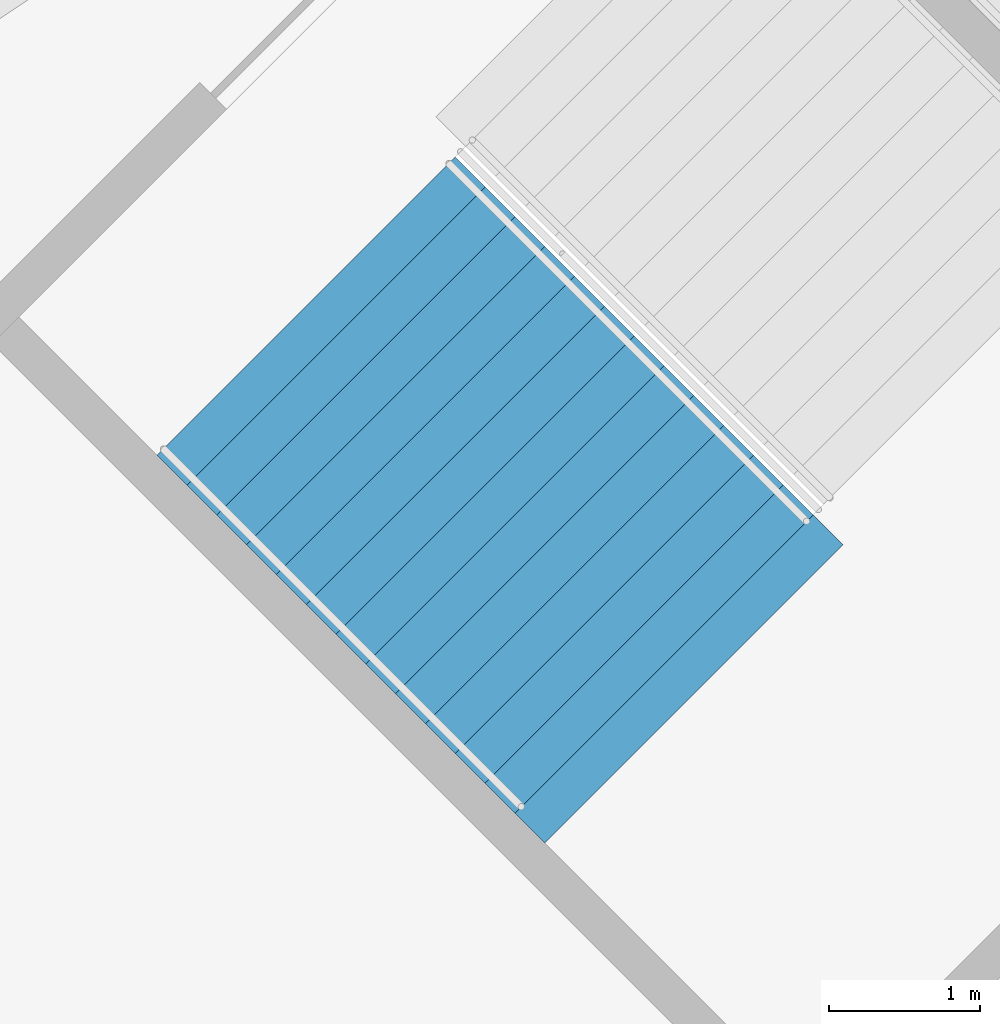
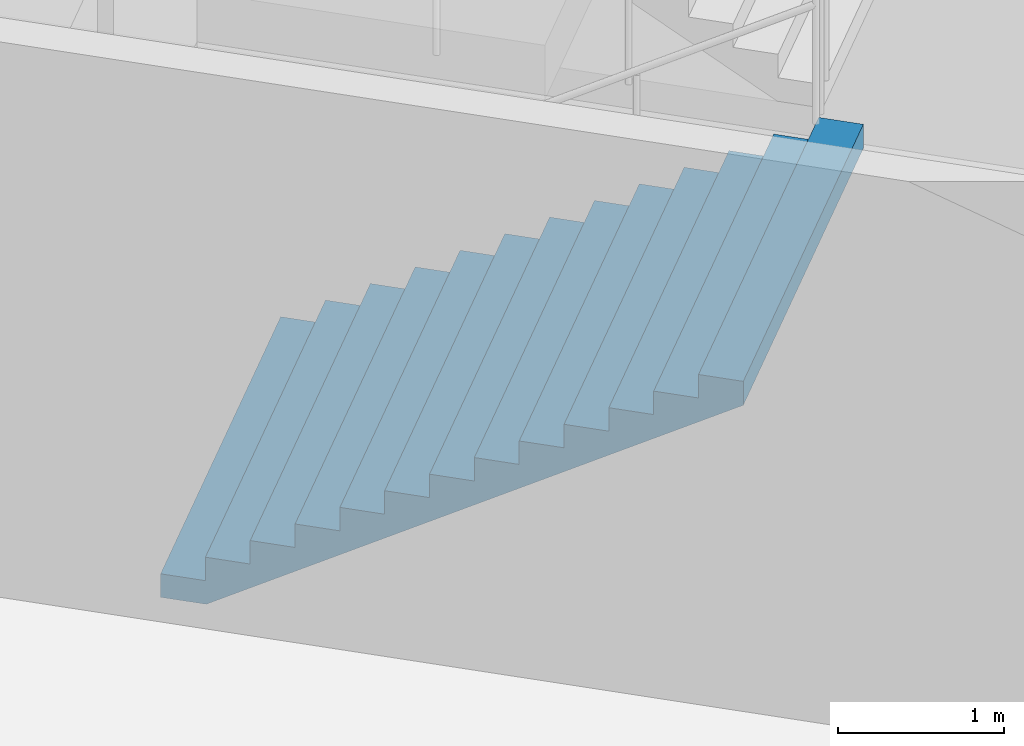
# One storey, part 169 of 249: 1 stair flight, 1 element without a shape of its own.
"""IFC4 building model written with IfcOpenShell, lengths in metres."""

from ifc_helpers import new_model, si_unit, direction, frame, origin, place, context, subcontext, project, spatial, faceted_brep, material, type_object, element, aggregate, save


model = new_model("IFC4")

# Units and contexts
model_context = context("Model", 3, precision=1e-05, world=origin(), true_north=direction((0.0, 1.0)))
body_context = subcontext(model_context, "Body", "Model", "MODEL_VIEW")
ifc_project = project(units=[si_unit("LENGTHUNIT", "METRE"), si_unit("AREAUNIT", "SQUARE_METRE"), si_unit("VOLUMEUNIT", "CUBIC_METRE"), si_unit("PLANEANGLEUNIT", "RADIAN"), si_unit("MASSUNIT", "GRAM", prefix="KILO")], contexts=[model_context])

# Site, building, storey
site_placement = place(None, origin())
site = spatial("IfcSite", under=ifc_project, at=site_placement, CompositionType="ELEMENT")
building_placement = place(site_placement, origin())
building = spatial("IfcBuilding", under=site, at=building_placement, Name="Ogive Plaza Stadium", CompositionType="ELEMENT")
storey_placement = place(building_placement, frame((0.0, 0.0, 13.5)))
storey = spatial("IfcBuildingStorey", under=building, at=storey_placement, Name="L03", CompositionType="ELEMENT", Elevation=13.5)

# Stair, stair flight
ifc_material_1 = material(Name="Concrete C40/50", Category="concrete")
stair_type = type_object("IfcStairType", Name="Exit stair", PredefinedType="STRAIGHT_RUN_STAIR", material=ifc_material_1)
stair_placement = place(storey_placement, origin())
stair = element("IfcStair", 1, at=stair_placement, inside=storey, type_object=stair_type, Name="Exit stair ST10A L03 to L04", PredefinedType="STRAIGHT_RUN_STAIR")
ifc_material_2 = material(Name="Concrete C40/50", Category="concrete")
stair_flight_type = type_object("IfcStairFlightType", Name="Exit stair flight", PredefinedType="STRAIGHT", material=ifc_material_2)
stair_flight_placement = place(storey_placement, frame((60.817138671875, -85.574951171875, 0.0), z_axis=(0.0, 0.0, 1.0), x_axis=(0.707106781187, -0.707106781187, 0.0)))
stair_flight = element("IfcStairFlight", 2, at=stair_flight_placement, type_object=stair_flight_type, Name="ST10A flight 1", NumberOfRisers=13, NumberOfTreads=12, PredefinedType="STRAIGHT", RiserHeight=0.173076923, TreadLength=0.28, context=body_context, shape_type="Brep", body=[
    faceted_brep([(0.28515625, -1.39990234375, 0.0), (3.639892578125, -1.39990234375, 2.07373046875), (3.639892578125, -1.39990234375, 2.25), (3.360107421875, -1.39990234375, 2.25), (3.360107421875, -1.39990234375, 2.076904296875), (3.080078125, -1.39990234375, 2.076904296875), (3.080078125, -1.39990234375, 1.90380859375), (2.800048828125, -1.39990234375, 1.90380859375), (2.800048828125, -1.39990234375, 1.730712890625), (2.52001953125, -1.39990234375, 1.730712890625), (2.52001953125, -1.39990234375, 1.5576171875), (2.239990234375, -1.39990234375, 1.5576171875), (2.239990234375, -1.39990234375, 1.384521484375), (1.9599609375, -1.39990234375, 1.384521484375), (1.9599609375, -1.39990234375, 1.21142578125), (1.679931640625, -1.39990234375, 1.21142578125), (1.679931640625, -1.39990234375, 1.03857421875), (1.39990234375, -1.39990234375, 1.03857421875), (1.39990234375, -1.39990234375, 0.865478515625), (1.1201171875, -1.39990234375, 0.865478515625), (1.1201171875, -1.39990234375, 0.6923828125), (0.840087890625, -1.39990234375, 0.6923828125), (0.840087890625, -1.39990234375, 0.519287109375), (0.56005859375, -1.39990234375, 0.519287109375), (0.56005859375, -1.39990234375, 0.34619140625), (0.280029296875, -1.39990234375, 0.34619140625), (0.280029296875, -1.39990234375, 0.173095703125), (0.0, -1.39990234375, 0.173095703125), (0.0, -1.39990234375, 0.0), (0.0, 1.39990234375, 0.0), (0.0, 1.39990234375, 0.173095703125), (0.280029296875, 1.39990234375, 0.173095703125), (0.280029296875, 1.39990234375, 0.34619140625), (0.56005859375, 1.39990234375, 0.34619140625), (0.56005859375, 1.39990234375, 0.519287109375), (0.840087890625, 1.39990234375, 0.519287109375), (0.840087890625, 1.39990234375, 0.6923828125), (1.1201171875, 1.39990234375, 0.6923828125), (1.1201171875, 1.39990234375, 0.865478515625), (1.39990234375, 1.39990234375, 0.865478515625), (1.39990234375, 1.39990234375, 1.03857421875), (1.679931640625, 1.39990234375, 1.03857421875), (1.679931640625, 1.39990234375, 1.21142578125), (1.9599609375, 1.39990234375, 1.21142578125), (1.9599609375, 1.39990234375, 1.384521484375), (2.239990234375, 1.39990234375, 1.384521484375), (2.239990234375, 1.39990234375, 1.5576171875), (2.52001953125, 1.39990234375, 1.5576171875), (2.52001953125, 1.39990234375, 1.730712890625), (2.800048828125, 1.39990234375, 1.730712890625), (2.800048828125, 1.39990234375, 1.90380859375), (3.080078125, 1.39990234375, 1.90380859375), (3.080078125, 1.39990234375, 2.076904296875), (3.360107421875, 1.39990234375, 2.076904296875), (3.360107421875, 1.39990234375, 2.25), (3.639892578125, 1.39990234375, 2.25), (3.639892578125, 1.39990234375, 2.07373046875), (0.28515625, 1.39990234375, 0.0), (0.28515625, -1.0888671875, 0.0), (3.639892578125, -1.0888671875, 2.07373046875), (0.28515625, -0.77783203125, 0.0), (3.639892578125, -0.77783203125, 2.07373046875), (0.28515625, -0.466796875, 0.0), (3.639892578125, -0.466796875, 2.07373046875), (0.28515625, -0.155517578125, 0.0), (3.639892578125, -0.155517578125, 2.07373046875), (0.28515625, 0.155517578125, 0.0), (3.639892578125, 0.155517578125, 2.07373046875), (0.28515625, 0.466796875, 0.0), (3.639892578125, 0.466796875, 2.07373046875), (0.28515625, 0.77783203125, 0.0), (3.639892578125, 0.77783203125, 2.07373046875), (0.28515625, 1.0888671875, 0.0), (3.639892578125, 1.0888671875, 2.07373046875), (3.639892578125, -1.0888671875, 2.25), (3.639892578125, -0.77783203125, 2.25), (3.639892578125, -0.466796875, 2.25), (3.639892578125, -0.155517578125, 2.25), (3.639892578125, 0.155517578125, 2.25), (3.639892578125, 0.466796875, 2.25), (3.639892578125, 0.77783203125, 2.25), (3.639892578125, 1.0888671875, 2.25), (3.360107421875, -1.0888671875, 2.25), (3.360107421875, -0.77783203125, 2.25), (3.360107421875, -0.466796875, 2.25), (3.360107421875, -0.155517578125, 2.25), (3.360107421875, 0.155517578125, 2.25), (3.360107421875, 0.466796875, 2.25), (3.360107421875, 0.77783203125, 2.25), (3.360107421875, 1.0888671875, 2.25), (3.360107421875, -1.0888671875, 2.076904296875), (3.360107421875, -0.77783203125, 2.076904296875), (3.360107421875, -0.466796875, 2.076904296875), (3.360107421875, -0.155517578125, 2.076904296875), (3.360107421875, 0.155517578125, 2.076904296875), (3.360107421875, 0.466796875, 2.076904296875), (3.360107421875, 0.77783203125, 2.076904296875), (3.360107421875, 1.0888671875, 2.076904296875), (3.080078125, -1.0888671875, 2.076904296875), (3.080078125, -0.77783203125, 2.076904296875), (3.080078125, -0.466796875, 2.076904296875), (3.080078125, -0.155517578125, 2.076904296875), (3.080078125, 0.155517578125, 2.076904296875), (3.080078125, 0.466796875, 2.076904296875), (3.080078125, 0.77783203125, 2.076904296875), (3.080078125, 1.0888671875, 2.076904296875), (3.080078125, -1.0888671875, 1.90380859375), (3.080078125, -0.77783203125, 1.90380859375), (3.080078125, -0.466796875, 1.90380859375), (3.080078125, -0.155517578125, 1.90380859375), (3.080078125, 0.155517578125, 1.90380859375), (3.080078125, 0.466796875, 1.90380859375), (3.080078125, 0.77783203125, 1.90380859375), (3.080078125, 1.0888671875, 1.90380859375), (2.800048828125, -1.0888671875, 1.90380859375), (2.800048828125, -0.77783203125, 1.90380859375), (2.800048828125, -0.466796875, 1.90380859375), (2.800048828125, -0.155517578125, 1.90380859375), (2.800048828125, 0.155517578125, 1.90380859375), (2.800048828125, 0.466796875, 1.90380859375), (2.800048828125, 0.77783203125, 1.90380859375), (2.800048828125, 1.0888671875, 1.90380859375), (2.800048828125, -1.0888671875, 1.730712890625), (2.800048828125, -0.77783203125, 1.730712890625), (2.800048828125, -0.466796875, 1.730712890625), (2.800048828125, -0.155517578125, 1.730712890625), (2.800048828125, 0.155517578125, 1.730712890625), (2.800048828125, 0.466796875, 1.730712890625), (2.800048828125, 0.77783203125, 1.730712890625), (2.800048828125, 1.0888671875, 1.730712890625), (2.52001953125, -1.0888671875, 1.730712890625), (2.52001953125, -0.77783203125, 1.730712890625), (2.52001953125, -0.466796875, 1.730712890625), (2.52001953125, -0.155517578125, 1.730712890625), (2.52001953125, 0.155517578125, 1.730712890625), (2.52001953125, 0.466796875, 1.730712890625), (2.52001953125, 0.77783203125, 1.730712890625), (2.52001953125, 1.0888671875, 1.730712890625), (2.52001953125, -1.0888671875, 1.5576171875), (2.52001953125, -0.77783203125, 1.5576171875), (2.52001953125, -0.466796875, 1.5576171875), (2.52001953125, -0.155517578125, 1.5576171875), (2.52001953125, 0.155517578125, 1.5576171875), (2.52001953125, 0.466796875, 1.5576171875), (2.52001953125, 0.77783203125, 1.5576171875), (2.52001953125, 1.0888671875, 1.5576171875), (2.239990234375, -1.0888671875, 1.5576171875), (2.239990234375, -0.77783203125, 1.5576171875), (2.239990234375, -0.466796875, 1.5576171875), (2.239990234375, -0.155517578125, 1.5576171875), (2.239990234375, 0.155517578125, 1.5576171875), (2.239990234375, 0.466796875, 1.5576171875), (2.239990234375, 0.77783203125, 1.5576171875), (2.239990234375, 1.0888671875, 1.5576171875), (2.239990234375, -1.0888671875, 1.384521484375), (2.239990234375, -0.77783203125, 1.384521484375), (2.239990234375, -0.466796875, 1.384521484375), (2.239990234375, -0.155517578125, 1.384521484375), (2.239990234375, 0.155517578125, 1.384521484375), (2.239990234375, 0.466796875, 1.384521484375), (2.239990234375, 0.77783203125, 1.384521484375), (2.239990234375, 1.0888671875, 1.384521484375), (1.9599609375, -1.0888671875, 1.384521484375), (1.9599609375, -0.77783203125, 1.384521484375), (1.9599609375, -0.466796875, 1.384521484375), (1.9599609375, -0.155517578125, 1.384521484375), (1.9599609375, 0.155517578125, 1.384521484375), (1.9599609375, 0.466796875, 1.384521484375), (1.9599609375, 0.77783203125, 1.384521484375), (1.9599609375, 1.0888671875, 1.384521484375), (1.9599609375, -1.0888671875, 1.21142578125), (1.9599609375, -0.77783203125, 1.21142578125), (1.9599609375, -0.466796875, 1.21142578125), (1.9599609375, -0.155517578125, 1.21142578125), (1.9599609375, 0.155517578125, 1.21142578125), (1.9599609375, 0.466796875, 1.21142578125), (1.9599609375, 0.77783203125, 1.21142578125), (1.9599609375, 1.0888671875, 1.21142578125), (1.679931640625, -1.0888671875, 1.21142578125), (1.679931640625, -0.77783203125, 1.21142578125), (1.679931640625, -0.466796875, 1.21142578125), (1.679931640625, -0.155517578125, 1.21142578125), (1.679931640625, 0.155517578125, 1.21142578125), (1.679931640625, 0.466796875, 1.21142578125), (1.679931640625, 0.77783203125, 1.21142578125), (1.679931640625, 1.0888671875, 1.21142578125), (1.679931640625, -1.0888671875, 1.03857421875), (1.679931640625, -0.77783203125, 1.03857421875), (1.679931640625, -0.466796875, 1.03857421875), (1.679931640625, -0.155517578125, 1.03857421875), (1.679931640625, 0.155517578125, 1.03857421875), (1.679931640625, 0.466796875, 1.03857421875), (1.679931640625, 0.77783203125, 1.03857421875), (1.679931640625, 1.0888671875, 1.03857421875), (1.39990234375, -1.0888671875, 1.03857421875), (1.39990234375, -0.77783203125, 1.03857421875), (1.39990234375, -0.466796875, 1.03857421875), (1.39990234375, -0.155517578125, 1.03857421875), (1.39990234375, 0.155517578125, 1.03857421875), (1.39990234375, 0.466796875, 1.03857421875), (1.39990234375, 0.77783203125, 1.03857421875), (1.39990234375, 1.0888671875, 1.03857421875), (1.39990234375, -1.0888671875, 0.865478515625), (1.39990234375, -0.77783203125, 0.865478515625), (1.39990234375, -0.466796875, 0.865478515625), (1.39990234375, -0.155517578125, 0.865478515625), (1.39990234375, 0.155517578125, 0.865478515625), (1.39990234375, 0.466796875, 0.865478515625), (1.39990234375, 0.77783203125, 0.865478515625), (1.39990234375, 1.0888671875, 0.865478515625), (1.1201171875, -1.0888671875, 0.865478515625), (1.1201171875, -0.77783203125, 0.865478515625), (1.1201171875, -0.466796875, 0.865478515625), (1.1201171875, -0.155517578125, 0.865478515625), (1.1201171875, 0.155517578125, 0.865478515625), (1.1201171875, 0.466796875, 0.865478515625), (1.1201171875, 0.77783203125, 0.865478515625), (1.1201171875, 1.0888671875, 0.865478515625), (1.1201171875, -1.0888671875, 0.6923828125), (1.1201171875, -0.77783203125, 0.6923828125), (1.1201171875, -0.466796875, 0.6923828125), (1.1201171875, -0.155517578125, 0.6923828125), (1.1201171875, 0.155517578125, 0.6923828125), (1.1201171875, 0.466796875, 0.6923828125), (1.1201171875, 0.77783203125, 0.6923828125), (1.1201171875, 1.0888671875, 0.6923828125), (0.840087890625, -1.0888671875, 0.6923828125), (0.840087890625, -0.77783203125, 0.6923828125), (0.840087890625, -0.466796875, 0.6923828125), (0.840087890625, -0.155517578125, 0.6923828125), (0.840087890625, 0.155517578125, 0.6923828125), (0.840087890625, 0.466796875, 0.6923828125), (0.840087890625, 0.77783203125, 0.6923828125), (0.840087890625, 1.0888671875, 0.6923828125), (0.840087890625, -1.0888671875, 0.519287109375), (0.840087890625, -0.77783203125, 0.519287109375), (0.840087890625, -0.466796875, 0.519287109375), (0.840087890625, -0.155517578125, 0.519287109375), (0.840087890625, 0.155517578125, 0.519287109375), (0.840087890625, 0.466796875, 0.519287109375), (0.840087890625, 0.77783203125, 0.519287109375), (0.840087890625, 1.0888671875, 0.519287109375), (0.56005859375, -1.0888671875, 0.519287109375), (0.56005859375, -0.77783203125, 0.519287109375), (0.56005859375, -0.466796875, 0.519287109375), (0.56005859375, -0.155517578125, 0.519287109375), (0.56005859375, 0.155517578125, 0.519287109375), (0.56005859375, 0.466796875, 0.519287109375), (0.56005859375, 0.77783203125, 0.519287109375), (0.56005859375, 1.0888671875, 0.519287109375), (0.56005859375, -1.0888671875, 0.34619140625), (0.56005859375, -0.77783203125, 0.34619140625), (0.56005859375, -0.466796875, 0.34619140625), (0.56005859375, -0.155517578125, 0.34619140625), (0.56005859375, 0.155517578125, 0.34619140625), (0.56005859375, 0.466796875, 0.34619140625), (0.56005859375, 0.77783203125, 0.34619140625), (0.56005859375, 1.0888671875, 0.34619140625), (0.280029296875, -1.0888671875, 0.34619140625), (0.280029296875, -0.77783203125, 0.34619140625), (0.280029296875, -0.466796875, 0.34619140625), (0.280029296875, -0.155517578125, 0.34619140625), (0.280029296875, 0.155517578125, 0.34619140625), (0.280029296875, 0.466796875, 0.34619140625), (0.280029296875, 0.77783203125, 0.34619140625), (0.280029296875, 1.0888671875, 0.34619140625), (0.280029296875, -1.0888671875, 0.173095703125), (0.280029296875, -0.77783203125, 0.173095703125), (0.280029296875, -0.466796875, 0.173095703125), (0.280029296875, -0.155517578125, 0.173095703125), (0.280029296875, 0.155517578125, 0.173095703125), (0.280029296875, 0.466796875, 0.173095703125), (0.280029296875, 0.77783203125, 0.173095703125), (0.280029296875, 1.0888671875, 0.173095703125), (0.0, -1.0888671875, 0.173095703125), (0.0, -0.77783203125, 0.173095703125), (0.0, -0.466796875, 0.173095703125), (0.0, -0.155517578125, 0.173095703125), (0.0, 0.155517578125, 0.173095703125), (0.0, 0.466796875, 0.173095703125), (0.0, 0.77783203125, 0.173095703125), (0.0, 1.0888671875, 0.173095703125), (0.0, -1.0888671875, 0.0), (0.0, -0.77783203125, 0.0), (0.0, -0.466796875, 0.0), (0.0, -0.155517578125, 0.0), (0.0, 0.155517578125, 0.0), (0.0, 0.466796875, 0.0), (0.0, 0.77783203125, 0.0), (0.0, 1.0888671875, 0.0)], [[[0, 1, 2, 3, 4, 5, 6, 7, 8, 9, 10, 11, 12, 13, 14, 15, 16, 17, 18, 19, 20, 21, 22, 23, 24, 25, 26, 27, 28]], [[29, 30, 31, 32, 33, 34, 35, 36, 37, 38, 39, 40, 41, 42, 43, 44, 45, 46, 47, 48, 49, 50, 51, 52, 53, 54, 55, 56, 57]], [[0, 58, 59, 1]], [[58, 60, 61, 59]], [[60, 62, 63, 61]], [[62, 64, 65, 63]], [[64, 66, 67, 65]], [[66, 68, 69, 67]], [[68, 70, 71, 69]], [[70, 72, 73, 71]], [[72, 57, 56, 73]], [[1, 59, 74, 2]], [[59, 61, 75, 74]], [[61, 63, 76, 75]], [[63, 65, 77, 76]], [[65, 67, 78, 77]], [[67, 69, 79, 78]], [[69, 71, 80, 79]], [[71, 73, 81, 80]], [[73, 56, 55, 81]], [[2, 74, 82, 3]], [[74, 75, 83, 82]], [[75, 76, 84, 83]], [[76, 77, 85, 84]], [[77, 78, 86, 85]], [[78, 79, 87, 86]], [[79, 80, 88, 87]], [[80, 81, 89, 88]], [[81, 55, 54, 89]], [[3, 82, 90, 4]], [[82, 83, 91, 90]], [[83, 84, 92, 91]], [[84, 85, 93, 92]], [[85, 86, 94, 93]], [[86, 87, 95, 94]], [[87, 88, 96, 95]], [[88, 89, 97, 96]], [[89, 54, 53, 97]], [[4, 90, 98, 5]], [[90, 91, 99, 98]], [[91, 92, 100, 99]], [[92, 93, 101, 100]], [[93, 94, 102, 101]], [[94, 95, 103, 102]], [[95, 96, 104, 103]], [[96, 97, 105, 104]], [[97, 53, 52, 105]], [[5, 98, 106, 6]], [[98, 99, 107, 106]], [[99, 100, 108, 107]], [[100, 101, 109, 108]], [[101, 102, 110, 109]], [[102, 103, 111, 110]], [[103, 104, 112, 111]], [[104, 105, 113, 112]], [[105, 52, 51, 113]], [[6, 106, 114, 7]], [[106, 107, 115, 114]], [[107, 108, 116, 115]], [[108, 109, 117, 116]], [[109, 110, 118, 117]], [[110, 111, 119, 118]], [[111, 112, 120, 119]], [[112, 113, 121, 120]], [[113, 51, 50, 121]], [[7, 114, 122, 8]], [[114, 115, 123, 122]], [[115, 116, 124, 123]], [[116, 117, 125, 124]], [[117, 118, 126, 125]], [[118, 119, 127, 126]], [[119, 120, 128, 127]], [[120, 121, 129, 128]], [[121, 50, 49, 129]], [[8, 122, 130, 9]], [[122, 123, 131, 130]], [[123, 124, 132, 131]], [[124, 125, 133, 132]], [[125, 126, 134, 133]], [[126, 127, 135, 134]], [[127, 128, 136, 135]], [[128, 129, 137, 136]], [[129, 49, 48, 137]], [[9, 130, 138, 10]], [[130, 131, 139, 138]], [[131, 132, 140, 139]], [[132, 133, 141, 140]], [[133, 134, 142, 141]], [[134, 135, 143, 142]], [[135, 136, 144, 143]], [[136, 137, 145, 144]], [[137, 48, 47, 145]], [[10, 138, 146, 11]], [[138, 139, 147, 146]], [[139, 140, 148, 147]], [[140, 141, 149, 148]], [[141, 142, 150, 149]], [[142, 143, 151, 150]], [[143, 144, 152, 151]], [[144, 145, 153, 152]], [[145, 47, 46, 153]], [[11, 146, 154, 12]], [[146, 147, 155, 154]], [[147, 148, 156, 155]], [[148, 149, 157, 156]], [[149, 150, 158, 157]], [[150, 151, 159, 158]], [[151, 152, 160, 159]], [[152, 153, 161, 160]], [[153, 46, 45, 161]], [[12, 154, 162, 13]], [[154, 155, 163, 162]], [[155, 156, 164, 163]], [[156, 157, 165, 164]], [[157, 158, 166, 165]], [[158, 159, 167, 166]], [[159, 160, 168, 167]], [[160, 161, 169, 168]], [[161, 45, 44, 169]], [[13, 162, 170, 14]], [[162, 163, 171, 170]], [[163, 164, 172, 171]], [[164, 165, 173, 172]], [[165, 166, 174, 173]], [[166, 167, 175, 174]], [[167, 168, 176, 175]], [[168, 169, 177, 176]], [[169, 44, 43, 177]], [[14, 170, 178, 15]], [[170, 171, 179, 178]], [[171, 172, 180, 179]], [[172, 173, 181, 180]], [[173, 174, 182, 181]], [[174, 175, 183, 182]], [[175, 176, 184, 183]], [[176, 177, 185, 184]], [[177, 43, 42, 185]], [[15, 178, 186, 16]], [[178, 179, 187, 186]], [[179, 180, 188, 187]], [[180, 181, 189, 188]], [[181, 182, 190, 189]], [[182, 183, 191, 190]], [[183, 184, 192, 191]], [[184, 185, 193, 192]], [[185, 42, 41, 193]], [[16, 186, 194, 17]], [[186, 187, 195, 194]], [[187, 188, 196, 195]], [[188, 189, 197, 196]], [[189, 190, 198, 197]], [[190, 191, 199, 198]], [[191, 192, 200, 199]], [[192, 193, 201, 200]], [[193, 41, 40, 201]], [[17, 194, 202, 18]], [[194, 195, 203, 202]], [[195, 196, 204, 203]], [[196, 197, 205, 204]], [[197, 198, 206, 205]], [[198, 199, 207, 206]], [[199, 200, 208, 207]], [[200, 201, 209, 208]], [[201, 40, 39, 209]], [[18, 202, 210, 19]], [[202, 203, 211, 210]], [[203, 204, 212, 211]], [[204, 205, 213, 212]], [[205, 206, 214, 213]], [[206, 207, 215, 214]], [[207, 208, 216, 215]], [[208, 209, 217, 216]], [[209, 39, 38, 217]], [[19, 210, 218, 20]], [[210, 211, 219, 218]], [[211, 212, 220, 219]], [[212, 213, 221, 220]], [[213, 214, 222, 221]], [[214, 215, 223, 222]], [[215, 216, 224, 223]], [[216, 217, 225, 224]], [[217, 38, 37, 225]], [[20, 218, 226, 21]], [[218, 219, 227, 226]], [[219, 220, 228, 227]], [[220, 221, 229, 228]], [[221, 222, 230, 229]], [[222, 223, 231, 230]], [[223, 224, 232, 231]], [[224, 225, 233, 232]], [[225, 37, 36, 233]], [[21, 226, 234, 22]], [[226, 227, 235, 234]], [[227, 228, 236, 235]], [[228, 229, 237, 236]], [[229, 230, 238, 237]], [[230, 231, 239, 238]], [[231, 232, 240, 239]], [[232, 233, 241, 240]], [[233, 36, 35, 241]], [[22, 234, 242, 23]], [[234, 235, 243, 242]], [[235, 236, 244, 243]], [[236, 237, 245, 244]], [[237, 238, 246, 245]], [[238, 239, 247, 246]], [[239, 240, 248, 247]], [[240, 241, 249, 248]], [[241, 35, 34, 249]], [[23, 242, 250, 24]], [[242, 243, 251, 250]], [[243, 244, 252, 251]], [[244, 245, 253, 252]], [[245, 246, 254, 253]], [[246, 247, 255, 254]], [[247, 248, 256, 255]], [[248, 249, 257, 256]], [[249, 34, 33, 257]], [[24, 250, 258, 25]], [[250, 251, 259, 258]], [[251, 252, 260, 259]], [[252, 253, 261, 260]], [[253, 254, 262, 261]], [[254, 255, 263, 262]], [[255, 256, 264, 263]], [[256, 257, 265, 264]], [[257, 33, 32, 265]], [[25, 258, 266, 26]], [[258, 259, 267, 266]], [[259, 260, 268, 267]], [[260, 261, 269, 268]], [[261, 262, 270, 269]], [[262, 263, 271, 270]], [[263, 264, 272, 271]], [[264, 265, 273, 272]], [[265, 32, 31, 273]], [[26, 266, 274, 27]], [[266, 267, 275, 274]], [[267, 268, 276, 275]], [[268, 269, 277, 276]], [[269, 270, 278, 277]], [[270, 271, 279, 278]], [[271, 272, 280, 279]], [[272, 273, 281, 280]], [[273, 31, 30, 281]], [[27, 274, 282, 28]], [[274, 275, 283, 282]], [[275, 276, 284, 283]], [[276, 277, 285, 284]], [[277, 278, 286, 285]], [[278, 279, 287, 286]], [[279, 280, 288, 287]], [[280, 281, 289, 288]], [[281, 30, 29, 289]], [[28, 282, 58, 0]], [[282, 283, 60, 58]], [[283, 284, 62, 60]], [[284, 285, 64, 62]], [[285, 286, 66, 64]], [[286, 287, 68, 66]], [[287, 288, 70, 68]], [[288, 289, 72, 70]], [[289, 29, 57, 72]]]),
])
aggregate(stair, [stair_flight])

save(model, "model.ifc")
